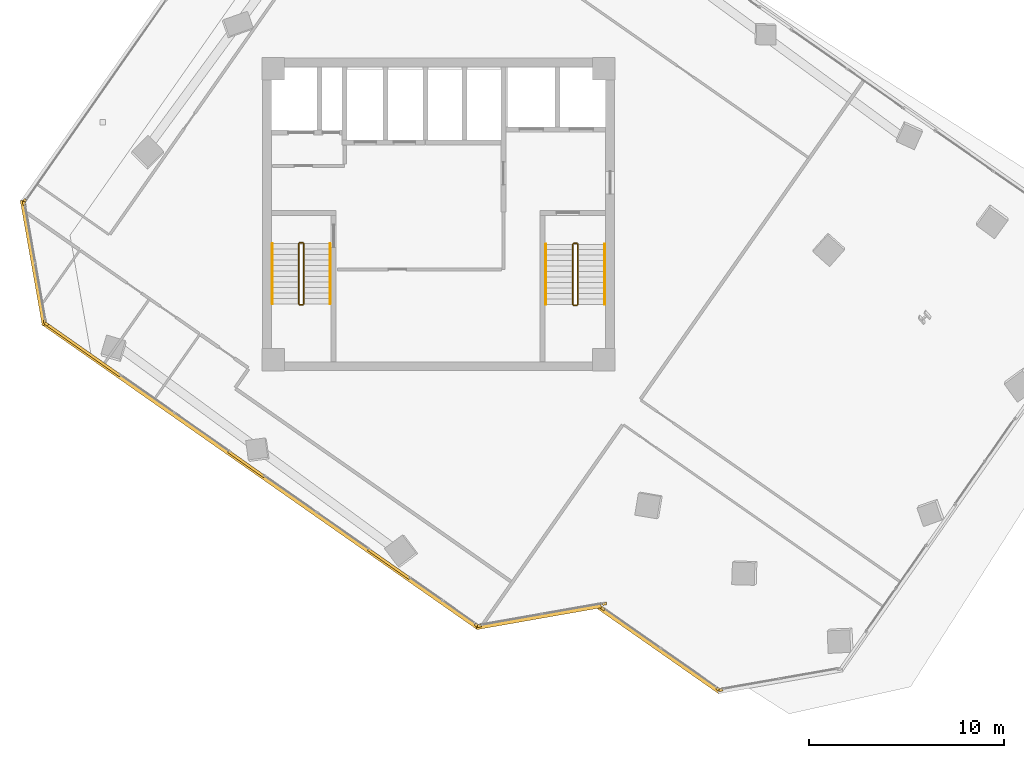
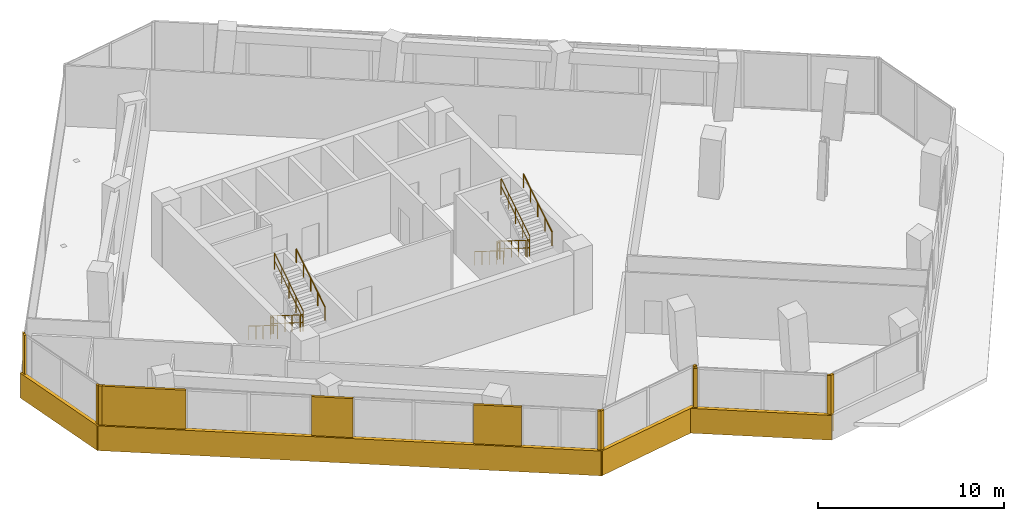
# One storey, part 20 of 22: 17 coverings, 12 railings.
"""IFC4 building model written with IfcOpenShell, lengths in metres."""

from ifc_helpers import new_model, si_unit, direction, frame, origin, origin_2d, place, context, subcontext, project, spatial, rectangle, circle, extrude, source, transform, mapped, material, layer, layer_set, type_object, element, save


model = new_model("IFC4")

# Units and contexts
model_context = context("Model", 3, precision=1e-05, world=origin(), true_north=direction((0.0, 1.0)))
body_context = subcontext(model_context, "Body", "Model", "MODEL_VIEW")
ifc_project = project(units=[si_unit("LENGTHUNIT", "METRE"), si_unit("AREAUNIT", "SQUARE_METRE"), si_unit("VOLUMEUNIT", "CUBIC_METRE"), si_unit("PLANEANGLEUNIT", "RADIAN"), si_unit("MASSUNIT", "GRAM", prefix="KILO")], contexts=[model_context])

# Site, building, storey
site_placement = place(None, origin())
site = spatial("IfcSite", under=ifc_project, at=site_placement, CompositionType="ELEMENT")
building_placement = place(site_placement, origin())
building = spatial("IfcBuilding", under=site, at=building_placement, Name="Torre Montelarca", CompositionType="ELEMENT")
storey_placement = place(building_placement, frame((0.0, 0.0, 196.0)))
storey = spatial("IfcBuildingStorey", under=building, at=storey_placement, Name="L44", CompositionType="ELEMENT", Elevation=196.0)

# Railings
ifc_material_1 = material(Name="Powder-coated steel ASTM A500 Grade C", Category="steel")
railing_type_1 = type_object("IfcRailingType", Name="RL-GUARD-1100", PredefinedType="BALUSTRADE", material=ifc_material_1)
railing_1_placement = place(storey_placement, frame((10.85009765625, 30.5, 0.175048828125)))
element("IfcRailing", 1, at=railing_1_placement, inside=storey, type_object=railing_type_1, Name="L44 ST1 stair guard 1", PredefinedType="BALUSTRADE", context=body_context, shape_type="SweptSolid", body=[
    extrude(circle(Radius=0.02392578125, at=origin_2d()), frame((0.0, 0.0, 1.076171875), z_axis=(0.0, -0.847998304005, 0.529998940003), x_axis=(1.0, 0.0, 0.0)), (0.0, 0.0, 1.0), 3.632080078125),
    extrude(circle(Radius=0.02099609375, at=origin_2d()), frame((0.0, 0.0, 0.572021484375), z_axis=(0.0, -0.847998304005, 0.529998940003), x_axis=(1.0, 0.0, 0.0)), (0.0, 0.0, 1.0), 3.632080078125),
    extrude(circle(Radius=0.02099609375, at=origin_2d()), origin(), (0.0, 0.0, 1.0), 1.052001953125),
    extrude(circle(Radius=0.02099609375, at=origin_2d()), frame((0.0, -0.77001953125, 0.481201171875)), (0.0, 0.0, 1.0), 1.052001953125),
    extrude(circle(Radius=0.02099609375, at=origin_2d()), frame((0.0, -1.5400390625, 0.96240234375)), (0.0, 0.0, 1.0), 1.052001953125),
    extrude(circle(Radius=0.02099609375, at=origin_2d()), frame((0.0, -2.31005859375, 1.44384765625)), (0.0, 0.0, 1.0), 1.052001953125),
    extrude(circle(Radius=0.02099609375, at=origin_2d()), frame((0.0, -3.080078125, 1.925048828125)), (0.0, 0.0, 1.0), 1.052001953125),
])
railing_2_placement = place(storey_placement, frame((10.89990234375, 27.3701171875, 2.10009765625)))
element("IfcRailing", 2, at=railing_2_placement, inside=storey, type_object=railing_type_1, Name="L44 ST1 stair guard 2", PredefinedType="BALUSTRADE", context=body_context, shape_type="SweptSolid", body=[
    extrude(circle(Radius=0.02392578125, at=origin_2d()), frame((0.0, 0.0, 1.076171875), z_axis=(1.0, 0.0, 0.0), x_axis=(0.0, 1.0, 0.0)), (0.0, 0.0, 1.0), 0.150146484375),
    extrude(circle(Radius=0.02099609375, at=origin_2d()), frame((0.0, 0.0, 0.572021484375), z_axis=(1.0, 0.0, 0.0), x_axis=(0.0, 1.0, 0.0)), (0.0, 0.0, 1.0), 0.150146484375),
    extrude(circle(Radius=0.02099609375, at=origin_2d()), origin(), (0.0, 0.0, 1.0), 1.052001953125),
    extrude(circle(Radius=0.02099609375, at=origin_2d()), frame((0.150146484375, 0.0, 0.0)), (0.0, 0.0, 1.0), 1.052001953125),
])
railing_3_placement = place(storey_placement, frame((11.10009765625, 27.419921875, 2.27490234375)))
element("IfcRailing", 3, at=railing_3_placement, inside=storey, type_object=railing_type_1, Name="L44 ST1 stair guard 3", PredefinedType="BALUSTRADE", context=body_context, shape_type="SweptSolid", body=[
    extrude(circle(Radius=0.02392578125, at=origin_2d()), frame((0.0, 0.0, 1.076171875), z_axis=(0.0, 0.847998304005, 0.529998940003), x_axis=(-1.0, 0.0, 0.0)), (0.0, 0.0, 1.0), 3.632080078125),
    extrude(circle(Radius=0.02099609375, at=origin_2d()), frame((0.0, 0.0, 0.572021484375), z_axis=(0.0, 0.847998304005, 0.529998940003), x_axis=(-1.0, 0.0, 0.0)), (0.0, 0.0, 1.0), 3.632080078125),
    extrude(circle(Radius=0.02099609375, at=origin_2d()), origin(), (0.0, 0.0, 1.0), 1.052001953125),
    extrude(circle(Radius=0.02099609375, at=origin_2d()), frame((0.0, 0.77001953125, 0.481201171875)), (0.0, 0.0, 1.0), 1.052001953125),
    extrude(circle(Radius=0.02099609375, at=origin_2d()), frame((0.0, 1.5400390625, 0.96240234375)), (0.0, 0.0, 1.0), 1.052001953125),
    extrude(circle(Radius=0.02099609375, at=origin_2d()), frame((0.0, 2.31005859375, 1.44384765625)), (0.0, 0.0, 1.0), 1.052001953125),
    extrude(circle(Radius=0.02099609375, at=origin_2d()), frame((0.0, 3.080078125, 1.925048828125)), (0.0, 0.0, 1.0), 1.052001953125),
])
railing_4_placement = place(storey_placement, frame((10.89990234375, 30.550048828125, 0.0)))
element("IfcRailing", 4, at=railing_4_placement, inside=storey, type_object=railing_type_1, Name="L44 ST1 stair guard 4", PredefinedType="BALUSTRADE", context=body_context, shape_type="SweptSolid", body=[
    extrude(circle(Radius=0.02392578125, at=origin_2d()), frame((0.0, 0.0, 1.076171875), z_axis=(1.0, 0.0, 0.0), x_axis=(0.0, 1.0, 0.0)), (0.0, 0.0, 1.0), 0.150146484375),
    extrude(circle(Radius=0.02099609375, at=origin_2d()), frame((0.0, 0.0, 0.572021484375), z_axis=(1.0, 0.0, 0.0), x_axis=(0.0, 1.0, 0.0)), (0.0, 0.0, 1.0), 0.150146484375),
    extrude(circle(Radius=0.02099609375, at=origin_2d()), origin(), (0.0, 0.0, 1.0), 1.052001953125),
    extrude(circle(Radius=0.02099609375, at=origin_2d()), frame((0.150146484375, 0.0, 0.0)), (0.0, 0.0, 1.0), 1.052001953125),
])
railing_5_placement = place(storey_placement, frame((24.8701171875, 30.469970703125, 0.175048828125)))
element("IfcRailing", 5, at=railing_5_placement, inside=storey, type_object=railing_type_1, Name="L44 ST2 stair guard 1", PredefinedType="BALUSTRADE", context=body_context, shape_type="SweptSolid", body=[
    extrude(circle(Radius=0.02392578125, at=origin_2d()), frame((0.0, 0.0, 1.076171875), z_axis=(0.0, -0.847998304005, 0.529998940003), x_axis=(1.0, 0.0, 0.0)), (0.0, 0.0, 1.0), 3.632080078125),
    extrude(circle(Radius=0.02099609375, at=origin_2d()), frame((0.0, 0.0, 0.572021484375), z_axis=(0.0, -0.847998304005, 0.529998940003), x_axis=(1.0, 0.0, 0.0)), (0.0, 0.0, 1.0), 3.632080078125),
    extrude(circle(Radius=0.02099609375, at=origin_2d()), origin(), (0.0, 0.0, 1.0), 1.052001953125),
    extrude(circle(Radius=0.02099609375, at=origin_2d()), frame((0.0, -0.77001953125, 0.481201171875)), (0.0, 0.0, 1.0), 1.052001953125),
    extrude(circle(Radius=0.02099609375, at=origin_2d()), frame((0.0, -1.5400390625, 0.96240234375)), (0.0, 0.0, 1.0), 1.052001953125),
    extrude(circle(Radius=0.02099609375, at=origin_2d()), frame((0.0, -2.31005859375, 1.44384765625)), (0.0, 0.0, 1.0), 1.052001953125),
    extrude(circle(Radius=0.02099609375, at=origin_2d()), frame((0.0, -3.080078125, 1.925048828125)), (0.0, 0.0, 1.0), 1.052001953125),
])
railing_6_placement = place(storey_placement, frame((24.919921875, 27.340087890625, 2.10009765625)))
element("IfcRailing", 6, at=railing_6_placement, inside=storey, type_object=railing_type_1, Name="L44 ST2 stair guard 2", PredefinedType="BALUSTRADE", context=body_context, shape_type="SweptSolid", body=[
    extrude(circle(Radius=0.02392578125, at=origin_2d()), frame((0.0, 0.0, 1.076171875), z_axis=(1.0, 0.0, 0.0), x_axis=(0.0, 1.0, 0.0)), (0.0, 0.0, 1.0), 0.150146484375),
    extrude(circle(Radius=0.02099609375, at=origin_2d()), frame((0.0, 0.0, 0.572021484375), z_axis=(1.0, 0.0, 0.0), x_axis=(0.0, 1.0, 0.0)), (0.0, 0.0, 1.0), 0.150146484375),
    extrude(circle(Radius=0.02099609375, at=origin_2d()), origin(), (0.0, 0.0, 1.0), 1.052001953125),
    extrude(circle(Radius=0.02099609375, at=origin_2d()), frame((0.150146484375, 0.0, 0.0)), (0.0, 0.0, 1.0), 1.052001953125),
])
railing_7_placement = place(storey_placement, frame((25.1201171875, 27.389892578125, 2.27490234375)))
element("IfcRailing", 7, at=railing_7_placement, inside=storey, type_object=railing_type_1, Name="L44 ST2 stair guard 3", PredefinedType="BALUSTRADE", context=body_context, shape_type="SweptSolid", body=[
    extrude(circle(Radius=0.02392578125, at=origin_2d()), frame((0.0, 0.0, 1.076171875), z_axis=(0.0, 0.847998304005, 0.529998940003), x_axis=(-1.0, 0.0, 0.0)), (0.0, 0.0, 1.0), 3.632080078125),
    extrude(circle(Radius=0.02099609375, at=origin_2d()), frame((0.0, 0.0, 0.572021484375), z_axis=(0.0, 0.847998304005, 0.529998940003), x_axis=(-1.0, 0.0, 0.0)), (0.0, 0.0, 1.0), 3.632080078125),
    extrude(circle(Radius=0.02099609375, at=origin_2d()), origin(), (0.0, 0.0, 1.0), 1.052001953125),
    extrude(circle(Radius=0.02099609375, at=origin_2d()), frame((0.0, 0.77001953125, 0.481201171875)), (0.0, 0.0, 1.0), 1.052001953125),
    extrude(circle(Radius=0.02099609375, at=origin_2d()), frame((0.0, 1.5400390625, 0.96240234375)), (0.0, 0.0, 1.0), 1.052001953125),
    extrude(circle(Radius=0.02099609375, at=origin_2d()), frame((0.0, 2.31005859375, 1.44384765625)), (0.0, 0.0, 1.0), 1.052001953125),
    extrude(circle(Radius=0.02099609375, at=origin_2d()), frame((0.0, 3.080078125, 1.925048828125)), (0.0, 0.0, 1.0), 1.052001953125),
])
railing_8_placement = place(storey_placement, frame((24.919921875, 30.52001953125, 0.0)))
element("IfcRailing", 8, at=railing_8_placement, inside=storey, type_object=railing_type_1, Name="L44 ST2 stair guard 4", PredefinedType="BALUSTRADE", context=body_context, shape_type="SweptSolid", body=[
    extrude(circle(Radius=0.02392578125, at=origin_2d()), frame((0.0, 0.0, 1.076171875), z_axis=(1.0, 0.0, 0.0), x_axis=(0.0, 1.0, 0.0)), (0.0, 0.0, 1.0), 0.150146484375),
    extrude(circle(Radius=0.02099609375, at=origin_2d()), frame((0.0, 0.0, 0.572021484375), z_axis=(1.0, 0.0, 0.0), x_axis=(0.0, 1.0, 0.0)), (0.0, 0.0, 1.0), 0.150146484375),
    extrude(circle(Radius=0.02099609375, at=origin_2d()), origin(), (0.0, 0.0, 1.0), 1.052001953125),
    extrude(circle(Radius=0.02099609375, at=origin_2d()), frame((0.150146484375, 0.0, 0.0)), (0.0, 0.0, 1.0), 1.052001953125),
])
ifc_material_2 = material(Name="Brushed stainless steel AISI 316", Category="steel")
railing_type_2 = type_object("IfcRailingType", Name="RL-HANDRAIL-900", PredefinedType="HANDRAIL", material=ifc_material_2)
railing_9_placement = place(storey_placement, frame((9.5, 30.5, 0.175048828125)))
element("IfcRailing", 9, at=railing_9_placement, inside=storey, type_object=railing_type_2, Name="L44 ST1 stair handrail 1", PredefinedType="HANDRAIL", context=body_context, shape_type="SweptSolid", body=[
    extrude(circle(Radius=0.02392578125, at=origin_2d()), frame((0.0, 0.0, 0.8759765625), z_axis=(0.0, -0.847998304005, 0.529998940003), x_axis=(1.0, 0.0, 0.0)), (0.0, 0.0, 1.0), 3.632080078125),
    extrude(circle(Radius=0.02099609375, at=origin_2d()), origin(), (0.0, 0.0, 1.0), 0.851806640625),
    extrude(circle(Radius=0.02099609375, at=origin_2d()), frame((0.0, -0.77001953125, 0.481201171875)), (0.0, 0.0, 1.0), 0.851806640625),
    extrude(circle(Radius=0.02099609375, at=origin_2d()), frame((0.0, -1.5400390625, 0.96240234375)), (0.0, 0.0, 1.0), 0.851806640625),
    extrude(circle(Radius=0.02099609375, at=origin_2d()), frame((0.0, -2.31005859375, 1.44384765625)), (0.0, 0.0, 1.0), 0.851806640625),
    extrude(circle(Radius=0.02099609375, at=origin_2d()), frame((0.0, -3.080078125, 1.925048828125)), (0.0, 0.0, 1.0), 0.851806640625),
])
railing_10_placement = place(storey_placement, frame((12.449951171875, 27.419921875, 2.27490234375)))
element("IfcRailing", 10, at=railing_10_placement, inside=storey, type_object=railing_type_2, Name="L44 ST1 stair handrail 2", PredefinedType="HANDRAIL", context=body_context, shape_type="SweptSolid", body=[
    extrude(circle(Radius=0.02392578125, at=origin_2d()), frame((0.0, 0.0, 0.8759765625), z_axis=(0.0, 0.847998304005, 0.529998940003), x_axis=(-1.0, 0.0, 0.0)), (0.0, 0.0, 1.0), 3.632080078125),
    extrude(circle(Radius=0.02099609375, at=origin_2d()), origin(), (0.0, 0.0, 1.0), 0.851806640625),
    extrude(circle(Radius=0.02099609375, at=origin_2d()), frame((0.0, 0.77001953125, 0.481201171875)), (0.0, 0.0, 1.0), 0.851806640625),
    extrude(circle(Radius=0.02099609375, at=origin_2d()), frame((0.0, 1.5400390625, 0.96240234375)), (0.0, 0.0, 1.0), 0.851806640625),
    extrude(circle(Radius=0.02099609375, at=origin_2d()), frame((0.0, 2.31005859375, 1.44384765625)), (0.0, 0.0, 1.0), 0.851806640625),
    extrude(circle(Radius=0.02099609375, at=origin_2d()), frame((0.0, 3.080078125, 1.925048828125)), (0.0, 0.0, 1.0), 0.851806640625),
])
railing_11_placement = place(storey_placement, frame((23.489990234375, 30.469970703125, 0.175048828125)))
element("IfcRailing", 11, at=railing_11_placement, inside=storey, type_object=railing_type_2, Name="L44 ST2 stair handrail 1", PredefinedType="HANDRAIL", context=body_context, shape_type="SweptSolid", body=[
    extrude(circle(Radius=0.02392578125, at=origin_2d()), frame((0.0, 0.0, 0.8759765625), z_axis=(0.0, -0.847998304005, 0.529998940003), x_axis=(1.0, 0.0, 0.0)), (0.0, 0.0, 1.0), 3.632080078125),
    extrude(circle(Radius=0.02099609375, at=origin_2d()), origin(), (0.0, 0.0, 1.0), 0.851806640625),
    extrude(circle(Radius=0.02099609375, at=origin_2d()), frame((0.0, -0.77001953125, 0.481201171875)), (0.0, 0.0, 1.0), 0.851806640625),
    extrude(circle(Radius=0.02099609375, at=origin_2d()), frame((0.0, -1.5400390625, 0.96240234375)), (0.0, 0.0, 1.0), 0.851806640625),
    extrude(circle(Radius=0.02099609375, at=origin_2d()), frame((0.0, -2.31005859375, 1.44384765625)), (0.0, 0.0, 1.0), 0.851806640625),
    extrude(circle(Radius=0.02099609375, at=origin_2d()), frame((0.0, -3.080078125, 1.925048828125)), (0.0, 0.0, 1.0), 0.851806640625),
])
railing_12_placement = place(storey_placement, frame((26.5, 27.389892578125, 2.27490234375)))
element("IfcRailing", 12, at=railing_12_placement, inside=storey, type_object=railing_type_2, Name="L44 ST2 stair handrail 2", PredefinedType="HANDRAIL", context=body_context, shape_type="SweptSolid", body=[
    extrude(circle(Radius=0.02392578125, at=origin_2d()), frame((0.0, 0.0, 0.8759765625), z_axis=(0.0, 0.847998304005, 0.529998940003), x_axis=(-1.0, 0.0, 0.0)), (0.0, 0.0, 1.0), 3.632080078125),
    extrude(circle(Radius=0.02099609375, at=origin_2d()), origin(), (0.0, 0.0, 1.0), 0.851806640625),
    extrude(circle(Radius=0.02099609375, at=origin_2d()), frame((0.0, 0.77001953125, 0.481201171875)), (0.0, 0.0, 1.0), 0.851806640625),
    extrude(circle(Radius=0.02099609375, at=origin_2d()), frame((0.0, 1.5400390625, 0.96240234375)), (0.0, 0.0, 1.0), 0.851806640625),
    extrude(circle(Radius=0.02099609375, at=origin_2d()), frame((0.0, 2.31005859375, 1.44384765625)), (0.0, 0.0, 1.0), 0.851806640625),
    extrude(circle(Radius=0.02099609375, at=origin_2d()), frame((0.0, 3.080078125, 1.925048828125)), (0.0, 0.0, 1.0), 0.851806640625),
])

# Coverings
ifc_material_3 = material(Name="Bush-hammered warm white precast concrete C45/55", Category="concrete")
ifc_layer = layer(ifc_material_3, 0.139892578125, Name="Bush-hammered warm white precast concrete C45/55", Category="concrete")
ifc_layer_set = layer_set([ifc_layer], Name="Bush-hammered warm white precast concrete C45/55")
covering_type = type_object("IfcCoveringType", Name="COV-TRAY-CLAD", PredefinedType="CLADDING", material=ifc_layer_set)
shared_shape_1 = source(origin(), body_context, "Body", "SweptSolid", [
    extrude(rectangle(XDim=6.48388671875, YDim=0.219970703125, at=origin_2d()), origin(), (0.0, 0.0, 1.0), 1.6201171875),
])
for number, where, z_axis, x_axis, name in (
    (13, (23.1181640625, 11.42138671875, -0.449951171875), (0.0, 0.0, 1.0), (0.98480714686, 0.173651615293, 0.0), "L44 Architectural White Spandrel Tray Band TRYBOT-02"),
    (14, (-2.732421875, 29.522216796875, -0.449951171875), (0.0, 0.0, 1.0), (0.173636145958, -0.984809874451, 0.0), "L44 Architectural White Spandrel Tray Band TRYBOT-11"),
):
    element("IfcCovering", number, at=place(storey_placement, frame(where, z_axis=z_axis, x_axis=x_axis)), inside=storey, type_object=covering_type, Name=name, PredefinedType="CLADDING", context=body_context, shape_type="MappedRepresentation", body=[
        mapped(shared_shape_1, transform((0.0, 0.0, 0.0), scale=1.0)),
    ])
shared_shape_2 = source(origin(), body_context, "Body", "SweptSolid", [
    extrude(rectangle(XDim=0.199951171875, YDim=0.139892578125, at=origin_2d()), origin(), (0.0, 0.0, 1.0), 3.719970703125),
])
for number, where, z_axis, x_axis, name in (
    (15, (-2.06298828125, 26.390625, 0.0), (0.0, 0.0, 1.0), (0.819154046443, -0.573573576968, 0.0), "L44 Architectural Column Pier Cladding E01-1"),
    (16, (19.946533203125, 10.9794921875, 0.0), (0.0, 0.0, 1.0), (0.819154046443, -0.573573576968, 0.0), "L44 Architectural Column Pier Cladding E01-5"),
    (17, (20.088134765625, 10.9482421875, 0.0), (0.0, 0.0, 1.0), (0.984808359153, 0.173644740038, 0.0), "L44 Architectural Column Pier Cladding E02-1"),
    (18, (26.489013671875, 12.076904296875, 0.0), (0.0, 0.0, 1.0), (0.984808359153, 0.173644740038, 0.0), "L44 Architectural Column Pier Cladding E02-2"),
    (19, (26.408447265625, 11.826416015625, 0.0), (0.0, 0.0, 1.0), (0.819158050722, -0.573567858179, 0.0), "L44 Architectural Column Pier Cladding E04-1"),
    (20, (32.300048828125, 7.700927734375, 0.0), (0.0, 0.0, 1.0), (0.819158050722, -0.573567858179, 0.0), "L44 Architectural Column Pier Cladding E04-2"),
    (21, (32.441650390625, 7.669677734375, 0.0), (0.0, 0.0, 1.0), (0.984808359153, 0.173644740038, 0.0), "L44 Architectural Column Pier Cladding E05-1"),
    (22, (-3.17431640625, 32.69384765625, 0.0), (0.0, 0.0, 1.0), (-0.573572147273, -0.819155047517, 0.0), "L44 Architectural Column Pier Cladding E10-2"),
    (23, (-3.20556640625, 32.552001953125, 0.0), (0.0, 0.0, 1.0), (0.173630989503, -0.984810783595, 0.0), "L44 Architectural Column Pier Cladding E11-1"),
    (24, (-2.140869140625, 26.51318359375, 0.0), (0.0, 0.0, 1.0), (0.173630989503, -0.984810783595, 0.0), "L44 Architectural Column Pier Cladding E11-2"),
):
    element("IfcCovering", number, at=place(storey_placement, frame(where, z_axis=z_axis, x_axis=x_axis)), inside=storey, type_object=covering_type, Name=name, PredefinedType="CLADDING", context=body_context, shape_type="MappedRepresentation", body=[
        mapped(shared_shape_2, transform((0.0, 0.0, 0.0), scale=1.0)),
    ])
shared_shape_3 = source(origin(), body_context, "Body", "SweptSolid", [
    extrude(rectangle(XDim=7.6201171875, YDim=0.219970703125, at=origin_2d()), origin(), (0.0, 0.0, 1.0), 1.6201171875),
])
covering_1_placement = place(storey_placement, frame((29.28857421875, 9.736328125, -0.449951171875), z_axis=(0.0, 0.0, 1.0), x_axis=(0.819152044289, -0.573576436351, 0.0)))
element("IfcCovering", 25, at=covering_1_placement, inside=storey, type_object=covering_type, Name="L44 Architectural White Spandrel Tray Band TRYBOT-04", PredefinedType="CLADDING", context=body_context, shape_type="MappedRepresentation", body=[
    mapped(shared_shape_3, transform((0.0, 0.0, 0.0), scale=1.0)),
])
shared_shape_4 = source(origin(), body_context, "Body", "SweptSolid", [
    extrude(rectangle(XDim=2.247314453125, YDim=0.139892578125, at=origin_2d()), origin(), (0.0, 0.0, 1.0), 3.719970703125),
])
covering_2_placement = place(storey_placement, frame((8.1689453125, 19.226318359375, 0.0), z_axis=(0.0, 0.0, 1.0), x_axis=(0.819154046443, -0.573573576968, 0.0)))
element("IfcCovering", 26, at=covering_2_placement, inside=storey, type_object=covering_type, Name="L44 Architectural Column Pier Cladding E01-3", PredefinedType="CLADDING", context=body_context, shape_type="MappedRepresentation", body=[
    mapped(shared_shape_4, transform((0.0, 0.0, 0.0), scale=1.0)),
])
shared_shape_5 = source(origin(), body_context, "Body", "SweptSolid", [
    extrude(rectangle(XDim=2.58642578125, YDim=0.139892578125, at=origin_2d()), origin(), (0.0, 0.0, 1.0), 3.719970703125),
])
covering_3_placement = place(storey_placement, frame((15.463623046875, 14.118408203125, 0.0), z_axis=(0.0, 0.0, 1.0), x_axis=(0.819154046443, -0.573573576968, 0.0)))
element("IfcCovering", 27, at=covering_3_placement, inside=storey, type_object=covering_type, Name="L44 Architectural Column Pier Cladding E01-4", PredefinedType="CLADDING", context=body_context, shape_type="MappedRepresentation", body=[
    mapped(shared_shape_5, transform((0.0, 0.0, 0.0), scale=1.0)),
])
shared_shape_6 = source(origin(), body_context, "Body", "SweptSolid", [
    extrude(rectangle(XDim=4.6142578125, YDim=0.139892578125, at=origin_2d()), origin(), (0.0, 0.0, 1.0), 3.719970703125),
])
covering_4_placement = place(storey_placement, frame((-0.173095703125, 25.0673828125, 0.0), z_axis=(0.0, 0.0, 1.0), x_axis=(0.819154046443, -0.573573576968, 0.0)))
element("IfcCovering", 28, at=covering_4_placement, inside=storey, type_object=covering_type, Name="L44 Architectural Column Pier Cladding E01-2", PredefinedType="CLADDING", context=body_context, shape_type="MappedRepresentation", body=[
    mapped(shared_shape_6, transform((0.0, 0.0, 0.0), scale=1.0)),
])
shared_shape_7 = source(origin(), body_context, "Body", "SweptSolid", [
    extrude(rectangle(XDim=27.22021484375, YDim=0.219970703125, at=origin_2d()), origin(), (0.0, 0.0, 1.0), 1.6201171875),
])
covering_5_placement = place(storey_placement, frame((8.907470703125, 18.635986328125, -0.449951171875), z_axis=(0.0, 0.0, 1.0), x_axis=(0.819152044289, -0.573576436351, 0.0)))
element("IfcCovering", 29, at=covering_5_placement, inside=storey, type_object=covering_type, Name="L44 Architectural White Spandrel Tray Band TRYBOT-01", PredefinedType="CLADDING", context=body_context, shape_type="MappedRepresentation", body=[
    mapped(shared_shape_7, transform((0.0, 0.0, 0.0), scale=1.0)),
])

save(model, "model.ifc")
